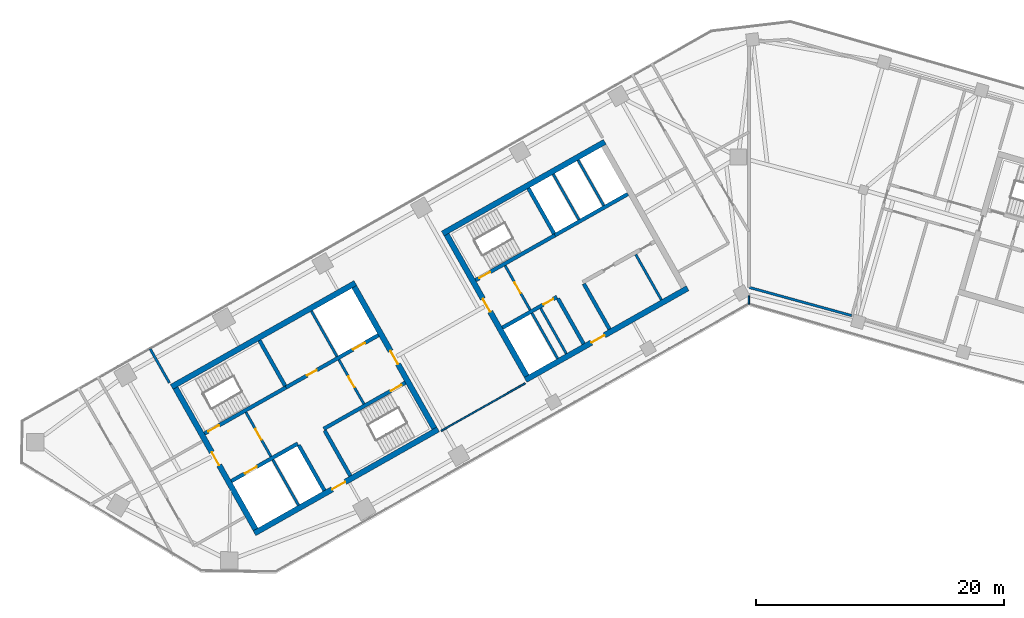
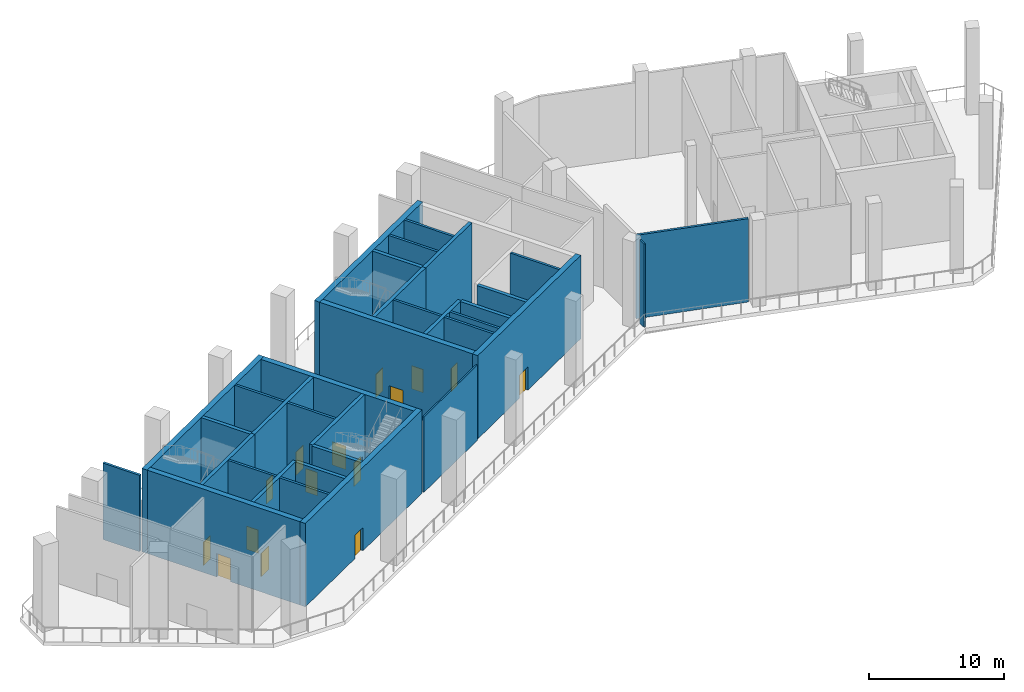
# One storey, part 3 of 8: 34 walls, 15 doors, 15 openings.
"""IFC4 building model written with IfcOpenShell, lengths in metres."""

from ifc_helpers import new_model, si_unit, direction, frame, frame_2d, origin, place, context, subcontext, project, spatial, rectangle, extrude, material, layer, layer_set, type_object, element, fill, save


model = new_model("IFC4")

# Units and contexts
model_context = context("Model", 3, precision=1e-05, world=origin(), true_north=direction((0.0, 1.0)))
body_context = subcontext(model_context, "Body", "Model", "MODEL_VIEW")
ifc_project = project(units=[si_unit("LENGTHUNIT", "METRE"), si_unit("AREAUNIT", "SQUARE_METRE"), si_unit("VOLUMEUNIT", "CUBIC_METRE"), si_unit("PLANEANGLEUNIT", "RADIAN"), si_unit("MASSUNIT", "GRAM", prefix="KILO")], contexts=[model_context])

# Site, building, storey
site_placement = place(None, origin())
site = spatial("IfcSite", under=ifc_project, at=site_placement, CompositionType="ELEMENT")
building_placement = place(site_placement, origin())
building = spatial("IfcBuilding", under=site, at=building_placement, Name="Binnacle Exchange Tower", CompositionType="ELEMENT")
storey_placement = place(building_placement, frame((0.0, 0.0, 230.89990234375)))
storey = spatial("IfcBuildingStorey", under=building, at=storey_placement, Name="L51", CompositionType="ELEMENT", Elevation=230.89990234375)

# Wall
ifc_material_1 = material(Name="Gypsum partition fire rated")
ifc_layer_1 = layer(ifc_material_1, 0.199951171875)
ifc_layer_set_1 = layer_set([ifc_layer_1], Name="Core partition 200")
wall_type_1 = type_object("IfcWallType", Name="Core partition 200", PredefinedType="PARTITIONING", material=ifc_layer_set_1)
wall_1_placement = place(storey_placement, frame((-9.11279296875, 52.14404296875, 0.0), z_axis=(0.0, 0.0, 1.0), x_axis=(0.492365617434, -0.870388475779, 0.0)))
element("IfcWall", 1, at=wall_1_placement, inside=storey, type_object=wall_type_1, Name="Core wall CRWC22", PredefinedType="PARTITIONING", context=body_context, shape_type="SweptSolid", body=[
    extrude(rectangle(XDim=4.199951171875, YDim=0.199951171875, at=frame_2d((2.10009765625, 0.0))), origin(), (0.0, 0.0, 1.0), 7.52001953125),
])

# Wall, opening, door
ifc_material_2 = material(Name="Concrete C70/85", Category="concrete")
ifc_layer_2 = layer(ifc_material_2, 0.300048828125)
ifc_layer_set_2 = layer_set([ifc_layer_2], Name="Core wall - front 300")
wall_type_2 = type_object("IfcWallType", Name="Core wall - front 300", PredefinedType="SOLIDWALL", material=ifc_layer_set_2)
wall_2_placement = place(storey_placement, frame((-41.6865234375, 33.88720703125, 0.0), z_axis=(0.0, 0.0, 1.0), x_axis=(0.870355736587, 0.49242348826, 0.0)))
wall_2 = element("IfcWall", 2, at=wall_2_placement, inside=storey, type_object=wall_type_2, Name="Core wall CRWA2", PredefinedType="SOLIDWALL", context=body_context, shape_type="SweptSolid", body=[
    extrude(rectangle(XDim=6.14990234375, YDim=0.300048828125, at=frame_2d((3.074951171875, 0.0))), origin(), (0.0, 0.0, 1.0), 7.52001953125),
])
opening_1_placement = place(wall_2_placement, frame((1.25, 0.0, 0.0)))
opening_1 = element("IfcOpeningElement", 3, at=opening_1_placement, cuts=wall_2, Name="Opening LD12", PredefinedType="OPENING", context=body_context, shape_type="SweptSolid", body=[
    extrude(rectangle(XDim=1.10009765625, YDim=2.10009765625, at=frame_2d((0.550048828125, 1.050048828125))), frame((0.0, 0.159912109375, 0.0), z_axis=(0.0, -1.0, 0.0), x_axis=(1.0, 0.0, 0.0)), (0.0, 0.0, 1.0), 0.320068359375),
])
ifc_material_3 = material(Name="Steel door leaf", Category="steel")
door_type_1 = type_object("IfcDoorType", Name="Fire door - lift landing 1100", OperationType="NOTDEFINED", PredefinedType="DOOR", material=ifc_material_3)
door_1_placement = place(opening_1_placement, origin())
door_1 = element("IfcDoor", 4, at=door_1_placement, inside=storey, type_object=door_type_1, Name="Landing door LD12 L51", OperationType="DOUBLE_DOOR_SLIDING", OverallHeight=2.10009765625, OverallWidth=1.10009765625, PredefinedType="DOOR", context=body_context, shape_type="SweptSolid", body=[
    extrude(rectangle(XDim=1.10009765625, YDim=2.10009765625, at=frame_2d((0.550048828125, 1.050048828125))), frame((0.0, 0.02490234375, 0.0), z_axis=(0.0, -1.0, 0.0), x_axis=(1.0, 0.0, 0.0)), (0.0, 0.0, 1.0), 0.050048828125),
])
fill(opening_1, door_1)

# Wall, openings, doors
wall_3_placement = place(storey_placement, frame((-37.281982421875, 41.4345703125, 0.0), z_axis=(0.0, 0.0, 1.0), x_axis=(0.870352688754, 0.492428875248, 0.0)))
wall_3 = element("IfcWall", 5, at=wall_3_placement, inside=storey, type_object=wall_type_2, Name="Core wall CRWA5", PredefinedType="SOLIDWALL", context=body_context, shape_type="SweptSolid", body=[
    extrude(rectangle(XDim=8.5498046875, YDim=0.300048828125, at=frame_2d((4.27490234375, 0.0))), origin(), (0.0, 0.0, 1.0), 7.52001953125),
])
opening_2_placement = place(wall_3_placement, frame((6.199951171875, 0.0, 0.0)))
opening_2 = element("IfcOpeningElement", 6, at=opening_2_placement, cuts=wall_3, Name="Opening LD13", PredefinedType="OPENING", context=body_context, shape_type="SweptSolid", body=[
    extrude(rectangle(XDim=1.10009765625, YDim=2.10009765625, at=frame_2d((0.550048828125, 1.050048828125))), frame((0.0, 0.159912109375, 0.0), z_axis=(0.0, -1.0, 0.0), x_axis=(1.0, 0.0, 0.0)), (0.0, 0.0, 1.0), 0.320068359375),
])
opening_3_placement = place(wall_3_placement, frame((1.949951171875, 0.0, 0.0)))
opening_3 = element("IfcOpeningElement", 7, at=opening_3_placement, cuts=wall_3, Name="Opening DA10", PredefinedType="OPENING", context=body_context, shape_type="SweptSolid", body=[
    extrude(rectangle(XDim=0.89990234375, YDim=2.10009765625, at=frame_2d((0.449951171875, 1.050048828125))), frame((0.0, 0.159912109375, 0.0), z_axis=(0.0, -1.0, 0.0), x_axis=(1.0, 0.0, 0.0)), (0.0, 0.0, 1.0), 0.320068359375),
])
door_2_placement = place(opening_2_placement, origin())
door_2 = element("IfcDoor", 8, at=door_2_placement, inside=storey, type_object=door_type_1, Name="Landing door LD13 L51", OperationType="DOUBLE_DOOR_SLIDING", OverallHeight=2.10009765625, OverallWidth=1.10009765625, PredefinedType="DOOR", context=body_context, shape_type="SweptSolid", body=[
    extrude(rectangle(XDim=1.10009765625, YDim=2.10009765625, at=frame_2d((0.550048828125, 1.050048828125))), frame((0.0, 0.02490234375, 0.0), z_axis=(0.0, -1.0, 0.0), x_axis=(1.0, 0.0, 0.0)), (0.0, 0.0, 1.0), 0.050048828125),
])
fill(opening_2, door_2)
door_type_2 = type_object("IfcDoorType", Name="Fire door 900", OperationType="NOTDEFINED", PredefinedType="DOOR", material=ifc_material_3)
door_3_placement = place(opening_3_placement, origin())
door_3 = element("IfcDoor", 9, at=door_3_placement, inside=storey, type_object=door_type_2, Name="Core room door TELECOM RISER ROOM", OperationType="SINGLE_SWING_LEFT", OverallHeight=2.10009765625, OverallWidth=0.89990234375, PredefinedType="DOOR", context=body_context, shape_type="SweptSolid", body=[
    extrude(rectangle(XDim=0.89990234375, YDim=2.10009765625, at=frame_2d((0.449951171875, 1.050048828125))), frame((0.0, 0.02490234375, 0.0), z_axis=(0.0, -1.0, 0.0), x_axis=(1.0, 0.0, 0.0)), (0.0, 0.0, 1.0), 0.050048828125),
])
fill(opening_3, door_3)

# Wall
wall_4_placement = place(storey_placement, frame((-36.260009765625, 36.784912109375, 0.0), z_axis=(0.0, 0.0, 1.0), x_axis=(0.492409653846, -0.870363563575, 0.0)))
element("IfcWall", 10, at=wall_4_placement, inside=storey, type_object=wall_type_2, Name="Core wall CRWA13", PredefinedType="SOLIDWALL", context=body_context, shape_type="SweptSolid", body=[
    extrude(rectangle(XDim=4.199951171875, YDim=0.300048828125, at=frame_2d((2.10009765625, 0.0))), origin(), (0.0, 0.0, 1.0), 7.52001953125),
])

# Wall, opening, door
wall_5_placement = place(storey_placement, frame((-19.8486328125, 46.242431640625, 0.0), z_axis=(0.0, 0.0, 1.0), x_axis=(0.870347559728, 0.492437940532, 0.0)))
wall_5 = element("IfcWall", 11, at=wall_5_placement, inside=storey, type_object=wall_type_2, Name="Core wall CRWC2", PredefinedType="SOLIDWALL", context=body_context, shape_type="SweptSolid", body=[
    extrude(rectangle(XDim=5.050048828125, YDim=0.300048828125, at=frame_2d((2.52490234375, 0.0))), origin(), (0.0, 0.0, 1.0), 7.52001953125),
])
opening_4_placement = place(wall_5_placement, frame((3.800048828125, 0.0, 0.0)))
opening_4 = element("IfcOpeningElement", 12, at=opening_4_placement, cuts=wall_5, Name="Opening DC14", PredefinedType="OPENING", context=body_context, shape_type="SweptSolid", body=[
    extrude(rectangle(XDim=0.89990234375, YDim=2.10009765625, at=frame_2d((0.449951171875, 1.050048828125))), frame((0.0, 0.159912109375, 0.0), z_axis=(0.0, -1.0, 0.0), x_axis=(1.0, 0.0, 0.0)), (0.0, 0.0, 1.0), 0.320068359375),
])
door_4_placement = place(opening_4_placement, frame((0.89990234375, 0.0, 0.0), z_axis=(0.0, 0.0, 1.0), x_axis=(-1.0, 0.0, 0.0)))
door_4 = element("IfcDoor", 13, at=door_4_placement, inside=storey, type_object=door_type_2, Name="Core room door COMMS RISER ROOM", OperationType="SINGLE_SWING_LEFT", OverallHeight=2.10009765625, OverallWidth=0.89990234375, PredefinedType="DOOR", context=body_context, shape_type="SweptSolid", body=[
    extrude(rectangle(XDim=0.89990234375, YDim=2.10009765625, at=frame_2d((0.449951171875, 1.050048828125))), frame((0.0, 0.02490234375, 0.0), z_axis=(0.0, -1.0, 0.0), x_axis=(1.0, 0.0, 0.0)), (0.0, 0.0, 1.0), 0.050048828125),
])
fill(opening_4, door_4)

# Walls
wall_6_placement = place(storey_placement, frame((-15.6181640625, 53.69140625, 0.0), z_axis=(0.0, 0.0, 1.0), x_axis=(0.870358646884, 0.492418344291, 0.0)))
element("IfcWall", 14, at=wall_6_placement, inside=storey, type_object=wall_type_2, Name="Core wall CRWC5", PredefinedType="SOLIDWALL", context=body_context, shape_type="SweptSolid", body=[
    extrude(rectangle(XDim=6.749755859375, YDim=0.300048828125, at=frame_2d((3.375, 0.0))), origin(), (0.0, 0.0, 1.0), 7.52001953125),
])
for number, where, z_axis, x_axis, name in (
    (15, (-15.37939453125, 48.5986328125, 0.0), (0.0, 0.0, 1.0), (0.492409653846, -0.870363563575, 0.0), "Core wall CRWC13"),
    (16, (-13.29052734375, 49.780517578125, 0.0), (0.0, 0.0, 1.0), (0.492409653846, -0.870363563575, 0.0), "Core wall CRWC15"),
):
    element("IfcWall", number, at=place(storey_placement, frame(where, z_axis=z_axis, x_axis=x_axis)), inside=storey, type_object=wall_type_2, Name=name, PredefinedType="SOLIDWALL", context=body_context, shape_type="SweptSolid", body=[
        extrude(rectangle(XDim=4.199951171875, YDim=0.300048828125, at=frame_2d((2.10009765625, 0.0))), origin(), (0.0, 0.0, 1.0), 7.52001953125),
    ])

# Wall, opening, door
ifc_layer_3 = layer(ifc_material_2, 0.449951171875)
ifc_layer_set_3 = layer_set([ifc_layer_3], Name="Core wall - outer 450")
wall_type_3 = type_object("IfcWallType", Name="Core wall - outer 450", PredefinedType="SOLIDWALL", material=ifc_layer_set_3)
wall_7_placement = place(storey_placement, frame((-39.825439453125, 29.68359375, 0.0), z_axis=(0.0, 0.0, 1.0), x_axis=(0.870353598469, 0.492427267353, 0.0)))
wall_7 = element("IfcWall", 17, at=wall_7_placement, inside=storey, type_object=wall_type_3, Name="Core wall CRWA1", PredefinedType="SOLIDWALL", context=body_context, shape_type="SweptSolid", body=[
    extrude(rectangle(XDim=17.000244140625, YDim=0.449951171875, at=frame_2d((8.5, 0.0))), origin(), (0.0, 0.0, 1.0), 7.52001953125),
])
opening_5_placement = place(wall_7_placement, frame((7.199951171875, 0.0, 0.0)))
opening_5 = element("IfcOpeningElement", 18, at=opening_5_placement, cuts=wall_7, Name="Opening DA7", PredefinedType="OPENING", context=body_context, shape_type="SweptSolid", body=[
    extrude(rectangle(XDim=1.199951171875, YDim=2.10009765625, at=frame_2d((0.60009765625, 1.050048828125))), frame((0.0, 0.23486328125, 0.0), z_axis=(0.0, -1.0, 0.0), x_axis=(1.0, 0.0, 0.0)), (0.0, 0.0, 1.0), 0.469970703125),
])
door_type_3 = type_object("IfcDoorType", Name="Fire door 1200", OperationType="NOTDEFINED", PredefinedType="DOOR", material=ifc_material_3)
door_5_placement = place(opening_5_placement, frame((1.199951171875, 0.0, 0.0), z_axis=(0.0, 0.0, 1.0), x_axis=(-1.0, 0.0, 0.0)))
door_5 = element("IfcDoor", 19, at=door_5_placement, inside=storey, type_object=door_type_3, Name="Lift lobby entrance door core A", OperationType="SINGLE_SWING_RIGHT", OverallHeight=2.10009765625, OverallWidth=1.199951171875, PredefinedType="DOOR", context=body_context, shape_type="SweptSolid", body=[
    extrude(rectangle(XDim=1.199951171875, YDim=2.10009765625, at=frame_2d((0.60009765625, 1.050048828125))), frame((0.0, 0.02490234375, 0.0), z_axis=(0.0, -1.0, 0.0), x_axis=(1.0, 0.0, 0.0)), (0.0, 0.0, 1.0), 0.050048828125),
])
fill(opening_5, door_5)

# Wall
wall_8_placement = place(storey_placement, frame((-46.497802734375, 41.47705078125, 0.0), z_axis=(0.0, 0.0, 1.0), x_axis=(0.870359753402, 0.492416388494, 0.0)))
element("IfcWall", 20, at=wall_8_placement, inside=storey, type_object=wall_type_3, Name="Core wall CRWA6", PredefinedType="SOLIDWALL", context=body_context, shape_type="SweptSolid", body=[
    extrude(rectangle(XDim=17.0, YDim=0.449951171875, at=frame_2d((8.5, 0.0))), origin(), (0.0, 0.0, 1.0), 7.52001953125),
])

# Wall, opening, door
wall_9_placement = place(storey_placement, frame((-46.191162109375, 41.391845703125, 0.0), z_axis=(0.0, 0.0, 1.0), x_axis=(0.492421378713, -0.870356930107, 0.0)))
wall_9 = element("IfcWall", 21, at=wall_9_placement, inside=storey, type_object=wall_type_3, Name="Core wall CRWA7", PredefinedType="SOLIDWALL", context=body_context, shape_type="SweptSolid", body=[
    extrude(rectangle(XDim=13.099853515625, YDim=0.449951171875, at=frame_2d((6.5498046875, 0.0))), origin(), (0.0, 0.0, 1.0), 7.52001953125),
])
opening_6_placement = place(wall_9_placement, frame((5.949951171875, 0.0, 0.0)))
opening_6 = element("IfcOpeningElement", 22, at=opening_6_placement, cuts=wall_9, Name="Opening DA5", PredefinedType="OPENING", context=body_context, shape_type="SweptSolid", body=[
    extrude(rectangle(XDim=1.199951171875, YDim=2.10009765625, at=frame_2d((0.60009765625, 1.050048828125))), frame((0.0, 0.23486328125, 0.0), z_axis=(0.0, -1.0, 0.0), x_axis=(1.0, 0.0, 0.0)), (0.0, 0.0, 1.0), 0.469970703125),
])
door_6_placement = place(opening_6_placement, frame((1.199951171875, 0.0, 0.0), z_axis=(0.0, 0.0, 1.0), x_axis=(-1.0, 0.0, 0.0)))
door_6 = element("IfcDoor", 23, at=door_6_placement, inside=storey, type_object=door_type_3, Name="Vestibule exit door VEST-W", OperationType="SINGLE_SWING_LEFT", OverallHeight=2.10009765625, OverallWidth=1.199951171875, PredefinedType="DOOR", context=body_context, shape_type="SweptSolid", body=[
    extrude(rectangle(XDim=1.199951171875, YDim=2.10009765625, at=frame_2d((0.60009765625, 1.050048828125))), frame((0.0, 0.02490234375, 0.0), z_axis=(0.0, -1.0, 0.0), x_axis=(1.0, 0.0, 0.0)), (0.0, 0.0, 1.0), 0.050048828125),
])
fill(opening_6, door_6)

wall_10_placement = place(storey_placement, frame((-31.78662109375, 49.54150390625, 0.0), z_axis=(0.0, 0.0, 1.0), x_axis=(0.492421378713, -0.870356930107, 0.0)))
wall_10 = element("IfcWall", 24, at=wall_10_placement, inside=storey, type_object=wall_type_3, Name="Core wall CRWA22", PredefinedType="SOLIDWALL", context=body_context, shape_type="SweptSolid", body=[
    extrude(rectangle(XDim=13.099853515625, YDim=0.449951171875, at=frame_2d((6.5498046875, 0.0))), origin(), (0.0, 0.0, 1.0), 7.52001953125),
])
opening_7_placement = place(wall_10_placement, frame((5.949951171875, 0.0, 0.0)))
opening_7 = element("IfcOpeningElement", 25, at=opening_7_placement, cuts=wall_10, Name="Opening DA6", PredefinedType="OPENING", context=body_context, shape_type="SweptSolid", body=[
    extrude(rectangle(XDim=1.199951171875, YDim=2.10009765625, at=frame_2d((0.60009765625, 1.050048828125))), frame((0.0, 0.23486328125, 0.0), z_axis=(0.0, -1.0, 0.0), x_axis=(1.0, 0.0, 0.0)), (0.0, 0.0, 1.0), 0.469970703125),
])
door_7_placement = place(opening_7_placement, origin())
door_7 = element("IfcDoor", 26, at=door_7_placement, inside=storey, type_object=door_type_3, Name="Vestibule exit door VEST-E", OperationType="SINGLE_SWING_LEFT", OverallHeight=2.10009765625, OverallWidth=1.199951171875, PredefinedType="DOOR", context=body_context, shape_type="SweptSolid", body=[
    extrude(rectangle(XDim=1.199951171875, YDim=2.10009765625, at=frame_2d((0.60009765625, 1.050048828125))), frame((0.0, 0.02490234375, 0.0), z_axis=(0.0, -1.0, 0.0), x_axis=(1.0, 0.0, 0.0)), (0.0, 0.0, 1.0), 0.050048828125),
])
fill(opening_7, door_7)

wall_11_placement = place(storey_placement, frame((-17.987548828125, 42.0390625, 0.0), z_axis=(0.0, 0.0, 1.0), x_axis=(0.870360574057, 0.492414937962, 0.0)))
wall_11 = element("IfcWall", 27, at=wall_11_placement, inside=storey, type_object=wall_type_3, Name="Core wall CRWC1", PredefinedType="SOLIDWALL", context=body_context, shape_type="SweptSolid", body=[
    extrude(rectangle(XDim=15.0, YDim=0.449951171875, at=frame_2d((7.5, 0.0))), origin(), (0.0, 0.0, 1.0), 7.52001953125),
])
opening_8_placement = place(wall_11_placement, frame((6.10009765625, 0.0, 0.0)))
opening_8 = element("IfcOpeningElement", 28, at=opening_8_placement, cuts=wall_11, Name="Opening DC7", PredefinedType="OPENING", context=body_context, shape_type="SweptSolid", body=[
    extrude(rectangle(XDim=1.199951171875, YDim=2.10009765625, at=frame_2d((0.60009765625, 1.050048828125))), frame((0.0, 0.23486328125, 0.0), z_axis=(0.0, -1.0, 0.0), x_axis=(1.0, 0.0, 0.0)), (0.0, 0.0, 1.0), 0.469970703125),
])
door_8_placement = place(opening_8_placement, frame((1.199951171875, 0.0, 0.0), z_axis=(0.0, 0.0, 1.0), x_axis=(-1.0, 0.0, 0.0)))
door_8 = element("IfcDoor", 29, at=door_8_placement, inside=storey, type_object=door_type_3, Name="Lift lobby entrance door core C", OperationType="SINGLE_SWING_RIGHT", OverallHeight=2.10009765625, OverallWidth=1.199951171875, PredefinedType="DOOR", context=body_context, shape_type="SweptSolid", body=[
    extrude(rectangle(XDim=1.199951171875, YDim=2.10009765625, at=frame_2d((0.60009765625, 1.050048828125))), frame((0.0, 0.02490234375, 0.0), z_axis=(0.0, -1.0, 0.0), x_axis=(1.0, 0.0, 0.0)), (0.0, 0.0, 1.0), 0.050048828125),
])
fill(opening_8, door_8)

# Wall
wall_12_placement = place(storey_placement, frame((-24.659912109375, 53.832275390625, 0.0), z_axis=(0.0, 0.0, 1.0), x_axis=(0.870353598469, 0.492427267353, 0.0)))
element("IfcWall", 30, at=wall_12_placement, inside=storey, type_object=wall_type_3, Name="Core wall CRWC6", PredefinedType="SOLIDWALL", context=body_context, shape_type="SweptSolid", body=[
    extrude(rectangle(XDim=15.000244140625, YDim=0.449951171875, at=frame_2d((7.5, 0.0))), origin(), (0.0, 0.0, 1.0), 7.52001953125),
])

# Wall, opening, door
wall_13_placement = place(storey_placement, frame((-24.353271484375, 53.747314453125, 0.0), z_axis=(0.0, 0.0, 1.0), x_axis=(0.492435496286, -0.870348942665, 0.0)))
wall_13 = element("IfcWall", 31, at=wall_13_placement, inside=storey, type_object=wall_type_3, Name="Core wall CRWC7", PredefinedType="SOLIDWALL", context=body_context, shape_type="SweptSolid", body=[
    extrude(rectangle(XDim=13.10009765625, YDim=0.449951171875, at=frame_2d((6.550048828125, 0.0))), origin(), (0.0, 0.0, 1.0), 7.52001953125),
])
opening_9_placement = place(wall_13_placement, frame((5.949951171875, 0.0, 0.0)))
opening_9 = element("IfcOpeningElement", 32, at=opening_9_placement, cuts=wall_13, Name="Opening DC5", PredefinedType="OPENING", context=body_context, shape_type="SweptSolid", body=[
    extrude(rectangle(XDim=1.199951171875, YDim=2.10009765625, at=frame_2d((0.60009765625, 1.050048828125))), frame((0.0, 0.23486328125, 0.0), z_axis=(0.0, -1.0, 0.0), x_axis=(1.0, 0.0, 0.0)), (0.0, 0.0, 1.0), 0.469970703125),
])
door_9_placement = place(opening_9_placement, frame((1.199951171875, 0.0, 0.0), z_axis=(0.0, 0.0, 1.0), x_axis=(-1.0, 0.0, 0.0)))
door_9 = element("IfcDoor", 33, at=door_9_placement, inside=storey, type_object=door_type_3, Name="Vestibule exit door VEST-W", OperationType="SINGLE_SWING_RIGHT", OverallHeight=2.10009765625, OverallWidth=1.199951171875, PredefinedType="DOOR", context=body_context, shape_type="SweptSolid", body=[
    extrude(rectangle(XDim=1.199951171875, YDim=2.10009765625, at=frame_2d((0.60009765625, 1.050048828125))), frame((0.0, 0.02490234375, 0.0), z_axis=(0.0, -1.0, 0.0), x_axis=(1.0, 0.0, 0.0)), (0.0, 0.0, 1.0), 0.050048828125),
])
fill(opening_9, door_9)

ifc_layer_4 = layer(ifc_material_2, 0.300048828125)
ifc_layer_set_4 = layer_set([ifc_layer_4], Name="Core wall - stair 300")
wall_type_4 = type_object("IfcWallType", Name="Core wall - stair 300", PredefinedType="SOLIDWALL", material=ifc_layer_set_4)
wall_14_placement = place(storey_placement, frame((-34.2451171875, 38.097412109375, 0.0), z_axis=(0.0, 0.0, 1.0), x_axis=(0.870360409231, 0.492415229297, 0.0)))
wall_14 = element("IfcWall", 34, at=wall_14_placement, inside=storey, type_object=wall_type_4, Name="Core wall CRWA3", PredefinedType="SOLIDWALL", context=body_context, shape_type="SweptSolid", body=[
    extrude(rectangle(XDim=7.550048828125, YDim=0.300048828125, at=frame_2d((3.77490234375, 0.0))), origin(), (0.0, 0.0, 1.0), 7.52001953125),
])
opening_10_placement = place(wall_14_placement, frame((6.199951171875, 0.0, 0.0)))
opening_10 = element("IfcOpeningElement", 35, at=opening_10_placement, cuts=wall_14, Name="Opening DA2", PredefinedType="OPENING", context=body_context, shape_type="SweptSolid", body=[
    extrude(rectangle(XDim=1.0, YDim=2.10009765625, at=frame_2d((0.5, 1.050048828125))), frame((0.0, 0.159912109375, 0.0), z_axis=(0.0, -1.0, 0.0), x_axis=(1.0, 0.0, 0.0)), (0.0, 0.0, 1.0), 0.320068359375),
])
door_type_4 = type_object("IfcDoorType", Name="Fire door 1000", OperationType="NOTDEFINED", PredefinedType="DOOR", material=ifc_material_3)
door_10_placement = place(opening_10_placement, frame((1.0, 0.0, 0.0), z_axis=(0.0, 0.0, 1.0), x_axis=(-1.0, 0.0, 0.0)))
door_10 = element("IfcDoor", 36, at=door_10_placement, inside=storey, type_object=door_type_4, Name="Stair door ST-A2", OperationType="SINGLE_SWING_LEFT", OverallHeight=2.10009765625, OverallWidth=1.0, PredefinedType="DOOR", context=body_context, shape_type="SweptSolid", body=[
    extrude(rectangle(XDim=1.0, YDim=2.10009765625, at=frame_2d((0.5, 1.050048828125))), frame((0.0, 0.02490234375, 0.0), z_axis=(0.0, -1.0, 0.0), x_axis=(1.0, 0.0, 0.0)), (0.0, 0.0, 1.0), 0.050048828125),
])
fill(opening_10, door_10)

wall_15_placement = place(storey_placement, frame((-43.853271484375, 37.716796875, 0.0), z_axis=(0.0, 0.0, 1.0), x_axis=(0.870360409231, 0.492415229297, 0.0)))
wall_15 = element("IfcWall", 37, at=wall_15_placement, inside=storey, type_object=wall_type_4, Name="Core wall CRWA4", PredefinedType="SOLIDWALL", context=body_context, shape_type="SweptSolid", body=[
    extrude(rectangle(XDim=7.550048828125, YDim=0.300048828125, at=frame_2d((3.77490234375, 0.0))), origin(), (0.0, 0.0, 1.0), 7.52001953125),
])
opening_11_placement = place(wall_15_placement, frame((0.35009765625, 0.0, 0.0)))
opening_11 = element("IfcOpeningElement", 38, at=opening_11_placement, cuts=wall_15, Name="Opening DA1", PredefinedType="OPENING", context=body_context, shape_type="SweptSolid", body=[
    extrude(rectangle(XDim=1.0, YDim=2.10009765625, at=frame_2d((0.5, 1.050048828125))), frame((0.0, 0.159912109375, 0.0), z_axis=(0.0, -1.0, 0.0), x_axis=(1.0, 0.0, 0.0)), (0.0, 0.0, 1.0), 0.320068359375),
])
door_11_placement = place(opening_11_placement, origin())
door_11 = element("IfcDoor", 39, at=door_11_placement, inside=storey, type_object=door_type_4, Name="Stair door ST-A1", OperationType="SINGLE_SWING_LEFT", OverallHeight=2.10009765625, OverallWidth=1.0, PredefinedType="DOOR", context=body_context, shape_type="SweptSolid", body=[
    extrude(rectangle(XDim=1.0, YDim=2.10009765625, at=frame_2d((0.5, 1.050048828125))), frame((0.0, 0.02490234375, 0.0), z_axis=(0.0, -1.0, 0.0), x_axis=(1.0, 0.0, 0.0)), (0.0, 0.0, 1.0), 0.050048828125),
])
fill(opening_11, door_11)

# Walls
for number, where, z_axis, x_axis, name in (
    (40, (-39.424072265625, 45.220458984375, 0.0), (0.0, 0.0, 1.0), (0.492409653846, -0.870363563575, 0.0), "Core wall CRWA14"),
    (41, (-34.171142578125, 37.966796875, 0.0), (0.0, 0.0, 1.0), (0.492409653846, -0.870363563575, 0.0), "Core wall CRWA16"),
):
    element("IfcWall", number, at=place(storey_placement, frame(where, z_axis=z_axis, x_axis=x_axis)), inside=storey, type_object=wall_type_4, Name=name, PredefinedType="SOLIDWALL", context=body_context, shape_type="SweptSolid", body=[
        extrude(rectangle(XDim=4.199951171875, YDim=0.300048828125, at=frame_2d((2.10009765625, 0.0))), origin(), (0.0, 0.0, 1.0), 7.52001953125),
    ])

# Wall, opening, door
wall_16_placement = place(storey_placement, frame((-22.015380859375, 50.072021484375, 0.0), z_axis=(0.0, 0.0, 1.0), x_axis=(0.870354900257, 0.492424966466, 0.0)))
wall_16 = element("IfcWall", 42, at=wall_16_placement, inside=storey, type_object=wall_type_4, Name="Core wall CRWC4", PredefinedType="SOLIDWALL", context=body_context, shape_type="SweptSolid", body=[
    extrude(rectangle(XDim=7.35009765625, YDim=0.300048828125, at=frame_2d((3.675048828125, 0.0))), origin(), (0.0, 0.0, 1.0), 7.52001953125),
])
opening_12_placement = place(wall_16_placement, frame((0.35009765625, 0.0, 0.0)))
opening_12 = element("IfcOpeningElement", 43, at=opening_12_placement, cuts=wall_16, Name="Opening DC1", PredefinedType="OPENING", context=body_context, shape_type="SweptSolid", body=[
    extrude(rectangle(XDim=1.0, YDim=2.10009765625, at=frame_2d((0.5, 1.050048828125))), frame((0.0, 0.159912109375, 0.0), z_axis=(0.0, -1.0, 0.0), x_axis=(1.0, 0.0, 0.0)), (0.0, 0.0, 1.0), 0.320068359375),
])
door_12_placement = place(opening_12_placement, origin())
door_12 = element("IfcDoor", 44, at=door_12_placement, inside=storey, type_object=door_type_4, Name="Stair door ST-C1", OperationType="SINGLE_SWING_LEFT", OverallHeight=2.10009765625, OverallWidth=1.0, PredefinedType="DOOR", context=body_context, shape_type="SweptSolid", body=[
    extrude(rectangle(XDim=1.0, YDim=2.10009765625, at=frame_2d((0.5, 1.050048828125))), frame((0.0, 0.02490234375, 0.0), z_axis=(0.0, -1.0, 0.0), x_axis=(1.0, 0.0, 0.0)), (0.0, 0.0, 1.0), 0.050048828125),
])
fill(opening_12, door_12)

# Walls
wall_17_placement = place(storey_placement, frame((-17.76025390625, 57.477294921875, 0.0), z_axis=(0.0, 0.0, 1.0), x_axis=(0.49243456751, -0.870349468157, 0.0)))
element("IfcWall", 45, at=wall_17_placement, inside=storey, type_object=wall_type_4, Name="Core wall CRWC14", PredefinedType="SOLIDWALL", context=body_context, shape_type="SweptSolid", body=[
    extrude(rectangle(XDim=4.19970703125, YDim=0.300048828125, at=frame_2d((2.099853515625, 0.0))), origin(), (0.0, 0.0, 1.0), 7.52001953125),
])
ifc_material_4 = material(Name="Masonry block wall", Category="masonry")
ifc_layer_5 = layer(ifc_material_4, 0.199951171875)
ifc_layer_set_5 = layer_set([ifc_layer_5], Name="Fire wall - block 200")
wall_type_5 = type_object("IfcWallType", Name="Fire wall - block 200", PredefinedType="PARTITIONING", material=ifc_layer_set_5)
wall_18_placement = place(storey_placement, frame((-48.23095703125, 44.5400390625, 0.0), z_axis=(0.0, 0.0, 1.0), x_axis=(0.49254830201, -0.870285108563, 0.0)))
element("IfcWall", 46, at=wall_18_placement, inside=storey, type_object=wall_type_5, Name="Partition W05", PredefinedType="PARTITIONING", context=body_context, shape_type="SweptSolid", body=[
    extrude(rectangle(XDim=3.14501953125, YDim=0.199951171875, at=frame_2d((1.572509765625, 0.0))), origin(), (0.0, 0.0, 1.0), 6.88818359375),
])
wall_19_placement = place(storey_placement, frame((0.02001953125, 49.4951171875, 0.0), z_axis=(0.0, 0.0, 1.0), x_axis=(0.964176057391, -0.265263134179, 0.0)))
element("IfcWall", 47, at=wall_19_placement, inside=storey, type_object=wall_type_5, Name="Partition W22", PredefinedType="PARTITIONING", context=body_context, shape_type="SweptSolid", body=[
    extrude(rectangle(XDim=8.56591796875, YDim=0.199951171875, at=frame_2d((4.282958984375, 0.0))), origin(), (0.0, 0.0, 1.0), 7.52001953125),
])

# Wall, opening, door
ifc_layer_6 = layer(ifc_material_4, 0.199951171875)
ifc_layer_set_6 = layer_set([ifc_layer_6], Name="Fire wall - vestibule 200")
wall_type_6 = type_object("IfcWallType", Name="Fire wall - vestibule 200", PredefinedType="PARTITIONING", material=ifc_layer_set_6)
wall_20_placement = place(storey_placement, frame((-40.515625, 39.4326171875, 0.0), z_axis=(0.0, 0.0, 1.0), x_axis=(0.492453559952, -0.87033872216, 0.0)))
wall_20 = element("IfcWall", 48, at=wall_20_placement, inside=storey, type_object=wall_type_6, Name="Core wall CRWA10", PredefinedType="PARTITIONING", context=body_context, shape_type="SweptSolid", body=[
    extrude(rectangle(XDim=4.099853515625, YDim=0.199951171875, at=frame_2d((2.0498046875, 0.0))), origin(), (0.0, 0.0, 1.0), 7.52001953125),
])
opening_13_placement = place(wall_20_placement, frame((1.550048828125, 0.0, 0.0)))
opening_13 = element("IfcOpeningElement", 49, at=opening_13_placement, cuts=wall_20, Name="Opening DA3", PredefinedType="OPENING", context=body_context, shape_type="SweptSolid", body=[
    extrude(rectangle(XDim=1.0, YDim=2.10009765625, at=frame_2d((0.5, 1.050048828125))), frame((0.0, 0.10986328125, 0.0), z_axis=(0.0, -1.0, 0.0), x_axis=(1.0, 0.0, 0.0)), (0.0, 0.0, 1.0), 0.219970703125),
])
door_13_placement = place(opening_13_placement, frame((1.0, 0.0, 0.0), z_axis=(0.0, 0.0, 1.0), x_axis=(-1.0, 0.0, 0.0)))
door_13 = element("IfcDoor", 50, at=door_13_placement, inside=storey, type_object=door_type_4, Name="Vestibule door VEST-W", OperationType="SINGLE_SWING_LEFT", OverallHeight=2.10009765625, OverallWidth=1.0, PredefinedType="DOOR", context=body_context, shape_type="SweptSolid", body=[
    extrude(rectangle(XDim=1.0, YDim=2.10009765625, at=frame_2d((0.5, 1.050048828125))), frame((0.0, 0.02490234375, 0.0), z_axis=(0.0, -1.0, 0.0), x_axis=(1.0, 0.0, 0.0)), (0.0, 0.0, 1.0), 0.050048828125),
])
fill(opening_13, door_13)

wall_21_placement = place(storey_placement, frame((-33.030517578125, 43.66748046875, 0.0), z_axis=(0.0, 0.0, 1.0), x_axis=(0.492408451753, -0.87036424366, 0.0)))
wall_21 = element("IfcWall", 51, at=wall_21_placement, inside=storey, type_object=wall_type_6, Name="Core wall CRWA19", PredefinedType="PARTITIONING", context=body_context, shape_type="SweptSolid", body=[
    extrude(rectangle(XDim=4.099853515625, YDim=0.199951171875, at=frame_2d((2.0498046875, 0.0))), origin(), (0.0, 0.0, 1.0), 7.52001953125),
])
opening_14_placement = place(wall_21_placement, frame((1.550048828125, 0.0, 0.0)))
opening_14 = element("IfcOpeningElement", 52, at=opening_14_placement, cuts=wall_21, Name="Opening DA4", PredefinedType="OPENING", context=body_context, shape_type="SweptSolid", body=[
    extrude(rectangle(XDim=1.0, YDim=2.10009765625, at=frame_2d((0.5, 1.050048828125))), frame((0.0, 0.10986328125, 0.0), z_axis=(0.0, -1.0, 0.0), x_axis=(1.0, 0.0, 0.0)), (0.0, 0.0, 1.0), 0.219970703125),
])
door_14_placement = place(opening_14_placement, origin())
door_14 = element("IfcDoor", 53, at=door_14_placement, inside=storey, type_object=door_type_4, Name="Vestibule door VEST-E", OperationType="SINGLE_SWING_RIGHT", OverallHeight=2.10009765625, OverallWidth=1.0, PredefinedType="DOOR", context=body_context, shape_type="SweptSolid", body=[
    extrude(rectangle(XDim=1.0, YDim=2.10009765625, at=frame_2d((0.5, 1.050048828125))), frame((0.0, 0.02490234375, 0.0), z_axis=(0.0, -1.0, 0.0), x_axis=(1.0, 0.0, 0.0)), (0.0, 0.0, 1.0), 0.050048828125),
])
fill(opening_14, door_14)

wall_22_placement = place(storey_placement, frame((-19.635009765625, 51.246337890625, 0.0), z_axis=(0.0, 0.0, 1.0), x_axis=(0.492408451753, -0.87036424366, 0.0)))
wall_22 = element("IfcWall", 54, at=wall_22_placement, inside=storey, type_object=wall_type_6, Name="Core wall CRWC10", PredefinedType="PARTITIONING", context=body_context, shape_type="SweptSolid", body=[
    extrude(rectangle(XDim=4.099853515625, YDim=0.199951171875, at=frame_2d((2.0498046875, 0.0))), origin(), (0.0, 0.0, 1.0), 7.52001953125),
])
opening_15_placement = place(wall_22_placement, frame((1.550048828125, 0.0, 0.0)))
opening_15 = element("IfcOpeningElement", 55, at=opening_15_placement, cuts=wall_22, Name="Opening DC3", PredefinedType="OPENING", context=body_context, shape_type="SweptSolid", body=[
    extrude(rectangle(XDim=1.0, YDim=2.10009765625, at=frame_2d((0.5, 1.050048828125))), frame((0.0, 0.10986328125, 0.0), z_axis=(0.0, -1.0, 0.0), x_axis=(1.0, 0.0, 0.0)), (0.0, 0.0, 1.0), 0.219970703125),
])
door_15_placement = place(opening_15_placement, frame((1.0, 0.0, 0.0), z_axis=(0.0, 0.0, 1.0), x_axis=(-1.0, 0.0, 0.0)))
door_15 = element("IfcDoor", 56, at=door_15_placement, inside=storey, type_object=door_type_4, Name="Vestibule door VEST-W", OperationType="SINGLE_SWING_RIGHT", OverallHeight=2.10009765625, OverallWidth=1.0, PredefinedType="DOOR", context=body_context, shape_type="SweptSolid", body=[
    extrude(rectangle(XDim=1.0, YDim=2.10009765625, at=frame_2d((0.5, 1.050048828125))), frame((0.0, 0.02490234375, 0.0), z_axis=(0.0, -1.0, 0.0), x_axis=(1.0, 0.0, 0.0)), (0.0, 0.0, 1.0), 0.050048828125),
])
fill(opening_15, door_15)

# Walls
ifc_material_5 = material(Name="Gypsum partition")
ifc_layer_7 = layer(ifc_material_5, 0.125)
ifc_layer_set_7 = layer_set([ifc_layer_7], Name="Partition 125")
wall_type_7 = type_object("IfcWallType", Name="Partition 125", PredefinedType="PARTITIONING", material=ifc_layer_set_7)
wall_23_placement = place(storey_placement, frame((-24.7880859375, 37.93310546875, 0.0), z_axis=(0.0, 0.0, 1.0), x_axis=(0.870387107086, 0.492368036959, 0.0)))
element("IfcWall", 57, at=wall_23_placement, inside=storey, type_object=wall_type_7, Name="Partition W09", PredefinedType="PARTITIONING", context=body_context, shape_type="SweptSolid", body=[
    extrude(rectangle(XDim=7.790771484375, YDim=0.125, at=frame_2d((3.8955078125, 0.0))), origin(), (0.0, 0.0, 1.0), 6.7919921875),
])
wall_24_placement = place(storey_placement, frame((0.0, 48.14990234375, 0.0), z_axis=(0.0, 0.0, 1.0), x_axis=(0.0, 1.0, 0.0)))
element("IfcWall", 58, at=wall_24_placement, inside=storey, type_object=wall_type_7, Name="Partition W18", PredefinedType="PARTITIONING", context=body_context, shape_type="SweptSolid", body=[
    extrude(rectangle(XDim=0.654052734375, YDim=0.125, at=frame_2d((0.3271484375, 0.0))), origin(), (0.0, 0.0, 1.0), 7.52001953125),
])
ifc_layer_8 = layer(ifc_material_4, 0.199951171875)
ifc_layer_set_8 = layer_set([ifc_layer_8], Name="Riser wall 200")
wall_type_8 = type_object("IfcWallType", Name="Riser wall 200", PredefinedType="SOLIDWALL", material=ifc_layer_set_8)
for number, where, z_axis, x_axis, name in (
    (59, (-17.468505859375, 47.416748046875, 0.0), (0.0, 0.0, 1.0), (0.492453686477, -0.870338650569, 0.0), "Core wall CRWC8"),
    (60, (-16.772216796875, 47.810791015625, 0.0), (0.0, 0.0, 1.0), (0.492453686477, -0.870338650569, 0.0), "Core wall CRWC11"),
):
    element("IfcWall", number, at=place(storey_placement, frame(where, z_axis=z_axis, x_axis=x_axis)), inside=storey, type_object=wall_type_8, Name=name, PredefinedType="SOLIDWALL", context=body_context, shape_type="SweptSolid", body=[
        extrude(rectangle(XDim=4.2001953125, YDim=0.199951171875, at=frame_2d((2.10009765625, 0.0))), origin(), (0.0, 0.0, 1.0), 7.52001953125),
    ])
ifc_layer_9 = layer(ifc_material_4, 0.199951171875)
ifc_layer_set_9 = layer_set([ifc_layer_9], Name="Shaft wall 200")
wall_type_9 = type_object("IfcWallType", Name="Shaft wall 200", PredefinedType="SOLIDWALL", material=ifc_layer_set_9)
for number, where, z_axis, x_axis, name in (
    (61, (-38.348876953125, 35.603271484375, 0.0), (0.0, 0.0, 1.0), (0.492409653846, -0.870363563575, 0.0), "Core wall CRWA9"),
    (62, (-35.246337890625, 47.584228515625, 0.0), (0.0, 0.0, 1.0), (0.492409653846, -0.870363563575, 0.0), "Core wall CRWA21"),
    (63, (-15.75830078125, 58.60986328125, 0.0), (0.0, 0.0, 1.0), (0.492409653846, -0.870363563575, 0.0), "Core wall CRWC18"),
    (64, (-13.756591796875, 59.742431640625, 0.0), (0.0, 0.0, 1.0), (0.492409653846, -0.870363563575, 0.0), "Core wall CRWC21"),
):
    element("IfcWall", number, at=place(storey_placement, frame(where, z_axis=z_axis, x_axis=x_axis)), inside=storey, type_object=wall_type_9, Name=name, PredefinedType="SOLIDWALL", context=body_context, shape_type="SweptSolid", body=[
        extrude(rectangle(XDim=4.199951171875, YDim=0.199951171875, at=frame_2d((2.10009765625, 0.0))), origin(), (0.0, 0.0, 1.0), 7.52001953125),
    ])

save(model, "model.ifc")
